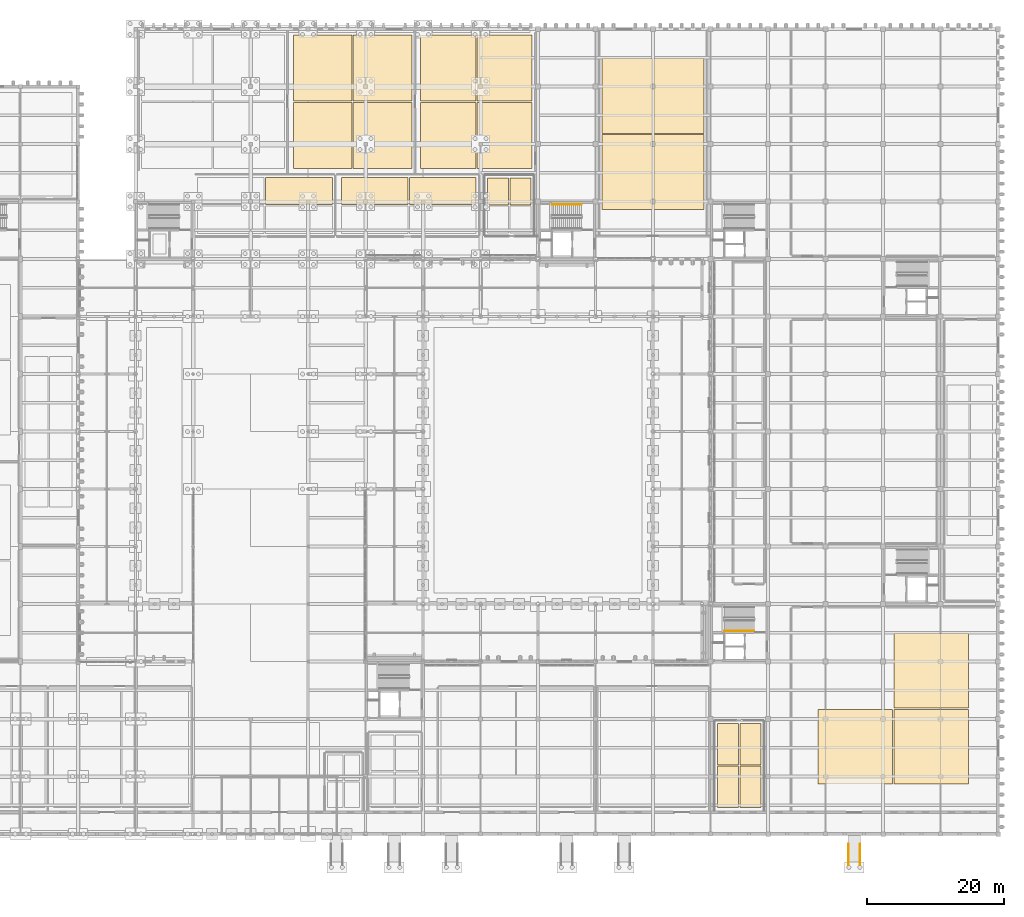
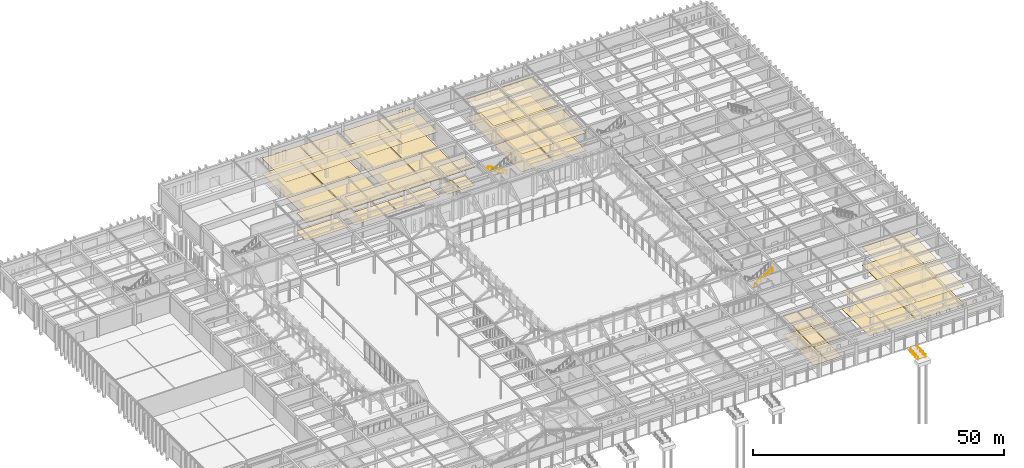
# One storey, part 139 of 143: 44 coverings, 4 railings.
"""IFC4 building model written with IfcOpenShell, lengths in metres."""

from ifc_helpers import new_model, si_unit, direction, frame, origin, origin_2d, place, context, subcontext, project, spatial, rectangle, circle, extrude, material, layer, layer_set, type_object, element, save


model = new_model("IFC4")

# Units and contexts
model_context = context("Model", 3, precision=1e-05, world=origin(), true_north=direction((0.0, 1.0)))
body_context = subcontext(model_context, "Body", "Model", "MODEL_VIEW")
ifc_project = project(units=[si_unit("LENGTHUNIT", "METRE"), si_unit("AREAUNIT", "SQUARE_METRE"), si_unit("VOLUMEUNIT", "CUBIC_METRE"), si_unit("PLANEANGLEUNIT", "RADIAN"), si_unit("MASSUNIT", "GRAM", prefix="KILO")], contexts=[model_context])

# Site, building, storey
site_placement = place(None, origin())
site = spatial("IfcSite", under=ifc_project, at=site_placement, CompositionType="ELEMENT")
building_placement = place(site_placement, origin())
building = spatial("IfcBuilding", under=site, at=building_placement, Name="Kveldsbrygga Polytechnic", CompositionType="ELEMENT")
storey_placement = place(building_placement, origin())
storey = spatial("IfcBuildingStorey", under=building, at=storey_placement, Name="L00", CompositionType="ELEMENT", Elevation=0.0)

# Coverings
ifc_material_1 = material(Name="Acoustic mineral baffle ceiling")
ifc_layer_1 = layer(ifc_material_1, 0.030029296875)
ifc_layer_set_1 = layer_set([ifc_layer_1], Name="Acoustic mineral baffle ceiling")
covering_type_1 = type_object("IfcCoveringType", Name="COV-CEIL-AC30", PredefinedType="CEILING", material=ifc_layer_set_1)
for number, where, z_axis, x_axis, name in (
    (1, (65.875, 93.949951171875, 4.43017578125), (0.0, 0.0, 1.0), (1.0, 0.0, 0.0), "Acoustic Ceiling SP-L00-SEM01-EN"),
    (2, (76.925048828125, 93.949951171875, 4.43017578125), (0.0, 0.0, 1.0), (1.0, 0.0, 0.0), "Acoustic Ceiling SP-L00-SEM02-WN"),
    (3, (86.875, 93.949951171875, 4.43017578125), (0.0, 0.0, 1.0), (1.0, 0.0, 0.0), "Acoustic Ceiling SP-L00-SEM02-EN"),
):
    element("IfcCovering", number, at=place(storey_placement, frame(where, z_axis=z_axis, x_axis=x_axis)), inside=storey, type_object=covering_type_1, Name=name, PredefinedType="CEILING", context=body_context, shape_type="SweptSolid", body=[
        extrude(rectangle(XDim=9.75, YDim=4.0, at=origin_2d()), origin(), (0.0, 0.0, 1.0), 0.030029296875),
    ])
for number, where, z_axis, x_axis, name in (
    (4, (147.125, 12.75, 4.330078125), (0.0, 0.0, 1.0), (1.0, 0.0, 0.0), "Acoustic Ceiling SP-L00-LAB1-WS"),
    (5, (158.22509765625, 12.75, 4.330078125), (0.0, 0.0, 1.0), (1.0, 0.0, 0.0), "Acoustic Ceiling SP-L00-LAB1-ES"),
    (6, (158.22509765625, 23.85009765625, 4.43017578125), (0.0, 0.0, 1.0), (1.0, 0.0, 0.0), "Acoustic Ceiling SP-L00-LAB1-EN"),
):
    element("IfcCovering", number, at=place(storey_placement, frame(where, z_axis=z_axis, x_axis=x_axis)), inside=storey, type_object=covering_type_1, Name=name, PredefinedType="CEILING", context=body_context, shape_type="SweptSolid", body=[
        extrude(rectangle(XDim=10.89990234375, YDim=10.89990234375, at=origin_2d()), origin(), (0.0, 0.0, 1.0), 0.030029296875),
    ])
for number, where, z_axis, x_axis, name in (
    (7, (113.824951171875, 96.72509765625, 4.330078125), (0.0, 0.0, 1.0), (1.0, 0.0, 0.0), "Acoustic Ceiling SP-L00-LAB5-WS"),
    (8, (113.824951171875, 107.824951171875, 4.43017578125), (0.0, 0.0, 1.0), (1.0, 0.0, 0.0), "Acoustic Ceiling SP-L00-LAB5-WN"),
    (9, (121.375, 96.72509765625, 4.330078125), (0.0, 0.0, 1.0), (1.0, 0.0, 0.0), "Acoustic Ceiling SP-L00-LAB5-ES"),
    (10, (121.375, 107.824951171875, 4.43017578125), (0.0, 0.0, 1.0), (1.0, 0.0, 0.0), "Acoustic Ceiling SP-L00-LAB5-EN"),
):
    element("IfcCovering", number, at=place(storey_placement, frame(where, z_axis=z_axis, x_axis=x_axis)), inside=storey, type_object=covering_type_1, Name=name, PredefinedType="CEILING", context=body_context, shape_type="SweptSolid", body=[
        extrude(rectangle(XDim=7.35009765625, YDim=10.89990234375, at=origin_2d()), origin(), (0.0, 0.0, 1.0), 0.030029296875),
    ])
ifc_material_2 = material(Name="Gypsum acoustic ceiling")
ifc_layer_2 = layer(ifc_material_2, 0.02001953125)
ifc_layer_set_2 = layer_set([ifc_layer_2], Name="Gypsum acoustic ceiling")
covering_type_2 = type_object("IfcCoveringType", Name="COV-CEIL-GY20", PredefinedType="CEILING", material=ifc_layer_set_2)
for number, where, z_axis, x_axis, name in (
    (11, (94.949951171875, 93.887451171875, 4.43994140625), (0.0, 0.0, 1.0), (1.0, 0.0, 0.0), "Acoustic Ceiling SP-L00-V2WC-WN"),
    (12, (98.25, 93.887451171875, 4.43994140625), (0.0, 0.0, 1.0), (1.0, 0.0, 0.0), "Acoustic Ceiling SP-L00-V2WC-EN"),
):
    element("IfcCovering", number, at=place(storey_placement, frame(where, z_axis=z_axis, x_axis=x_axis)), inside=storey, type_object=covering_type_2, Name=name, PredefinedType="CEILING", context=body_context, shape_type="SweptSolid", body=[
        extrude(rectangle(XDim=3.10009765625, YDim=3.925048828125, at=origin_2d()), origin(), (0.0, 0.0, 1.0), 0.02001953125),
    ])
for number, where, z_axis, x_axis, name in (
    (13, (128.550048828125, 6.91259765625, 4.43994140625), (0.0, 0.0, 1.0), (1.0, 0.0, 0.0), "Acoustic Ceiling SP-L00-WCMAIN-WS"),
    (14, (128.550048828125, 13.137451171875, 4.570068359375), (0.0, 0.0, 1.0), (1.0, 0.0, 0.0), "Acoustic Ceiling SP-L00-WCMAIN-WN"),
    (15, (131.85009765625, 6.91259765625, 4.43994140625), (0.0, 0.0, 1.0), (1.0, 0.0, 0.0), "Acoustic Ceiling SP-L00-WCMAIN-ES"),
    (16, (131.85009765625, 13.137451171875, 4.570068359375), (0.0, 0.0, 1.0), (1.0, 0.0, 0.0), "Acoustic Ceiling SP-L00-WCMAIN-EN"),
):
    element("IfcCovering", number, at=place(storey_placement, frame(where, z_axis=z_axis, x_axis=x_axis)), inside=storey, type_object=covering_type_2, Name=name, PredefinedType="CEILING", context=body_context, shape_type="SweptSolid", body=[
        extrude(rectangle(XDim=3.10009765625, YDim=6.02490234375, at=origin_2d()), origin(), (0.0, 0.0, 1.0), 0.02001953125),
    ])
ifc_material_3 = material(Name="Acoustic oak timber slat ceiling", Category="wood")
ifc_layer_3 = layer(ifc_material_3, 0.0400390625)
ifc_layer_set_3 = layer_set([ifc_layer_3], Name="Acoustic oak timber slat ceiling")
covering_type_3 = type_object("IfcCoveringType", Name="COV-CEIL-WD40", PredefinedType="CEILING", material=ifc_layer_set_3)
for number, where, z_axis, x_axis, name in (
    (17, (69.324951171875, 111.925048828125, 3.699951171875), (0.0, 0.0, 1.0), (1.0, 0.0, 0.0), "Acoustic Ceiling SP-L00-LT2-WN"),
    (18, (78.074951171875, 111.925048828125, 3.699951171875), (0.0, 0.0, 1.0), (1.0, 0.0, 0.0), "Acoustic Ceiling SP-L00-LT2-EN"),
):
    element("IfcCovering", number, at=place(storey_placement, frame(where, z_axis=z_axis, x_axis=x_axis)), inside=storey, type_object=covering_type_3, Name=name, PredefinedType="CEILING", context=body_context, shape_type="SweptSolid", body=[
        extrude(rectangle(XDim=8.550048828125, YDim=9.64990234375, at=origin_2d()), origin(), (0.0, 0.0, 1.0), 0.0400390625),
    ])
for number, where, z_axis, x_axis, name in (
    (19, (87.675048828125, 111.925048828125, 3.699951171875), (0.0, 0.0, 1.0), (1.0, 0.0, 0.0), "Acoustic Ceiling SP-L00-LT3-WN"),
    (20, (95.925048828125, 111.925048828125, 3.699951171875), (0.0, 0.0, 1.0), (1.0, 0.0, 0.0), "Acoustic Ceiling SP-L00-LT3-EN"),
):
    element("IfcCovering", number, at=place(storey_placement, frame(where, z_axis=z_axis, x_axis=x_axis)), inside=storey, type_object=covering_type_3, Name=name, PredefinedType="CEILING", context=body_context, shape_type="SweptSolid", body=[
        extrude(rectangle(XDim=8.050048828125, YDim=9.64990234375, at=origin_2d()), origin(), (0.0, 0.0, 1.0), 0.0400390625),
    ])
ifc_material_4 = material(Name="Heavy-duty quartz-filled epoxy resin flooring")
ifc_layer_4 = layer(ifc_material_4, 0.014892578125)
ifc_layer_set_4 = layer_set([ifc_layer_4], Name="Heavy-duty quartz-filled epoxy resin flooring")
covering_type_4 = type_object("IfcCoveringType", Name="COV-FLR-EPX15", PredefinedType="FLOORING", material=ifc_layer_set_4)
for number, where, z_axis, x_axis, name in (
    (21, (147.125, 12.75, 0.0), (0.0, 0.0, 1.0), (1.0, 0.0, 0.0), "Room Flooring SP-L00-LAB1-WS"),
    (22, (158.22509765625, 12.75, 0.0), (0.0, 0.0, 1.0), (1.0, 0.0, 0.0), "Room Flooring SP-L00-LAB1-ES"),
    (23, (158.22509765625, 23.85009765625, 0.0), (0.0, 0.0, 1.0), (1.0, 0.0, 0.0), "Room Flooring SP-L00-LAB1-EN"),
):
    element("IfcCovering", number, at=place(storey_placement, frame(where, z_axis=z_axis, x_axis=x_axis)), inside=storey, type_object=covering_type_4, Name=name, PredefinedType="FLOORING", context=body_context, shape_type="SweptSolid", body=[
        extrude(rectangle(XDim=10.89990234375, YDim=10.89990234375, at=origin_2d()), origin(), (0.0, 0.0, 1.0), 0.014892578125),
    ])
for number, where, z_axis, x_axis, name in (
    (24, (113.824951171875, 96.72509765625, 0.0), (0.0, 0.0, 1.0), (1.0, 0.0, 0.0), "Room Flooring SP-L00-LAB5-WS"),
    (25, (113.824951171875, 107.824951171875, 0.0), (0.0, 0.0, 1.0), (1.0, 0.0, 0.0), "Room Flooring SP-L00-LAB5-WN"),
    (26, (121.375, 96.72509765625, 0.0), (0.0, 0.0, 1.0), (1.0, 0.0, 0.0), "Room Flooring SP-L00-LAB5-ES"),
    (27, (121.375, 107.824951171875, 0.0), (0.0, 0.0, 1.0), (1.0, 0.0, 0.0), "Room Flooring SP-L00-LAB5-EN"),
):
    element("IfcCovering", number, at=place(storey_placement, frame(where, z_axis=z_axis, x_axis=x_axis)), inside=storey, type_object=covering_type_4, Name=name, PredefinedType="FLOORING", context=body_context, shape_type="SweptSolid", body=[
        extrude(rectangle(XDim=7.35009765625, YDim=10.89990234375, at=origin_2d()), origin(), (0.0, 0.0, 1.0), 0.014892578125),
    ])
ifc_material_5 = material(Name="Iddefjord granite honed paving", Category="masonry")
ifc_layer_5 = layer(ifc_material_5, 0.02490234375)
ifc_layer_set_5 = layer_set([ifc_layer_5], Name="Iddefjord granite honed paving")
covering_type_5 = type_object("IfcCoveringType", Name="COV-FLR-GRN25", PredefinedType="FLOORING", material=ifc_layer_set_5)
for number, where, z_axis, x_axis, name in (
    (28, (94.949951171875, 93.887451171875, 0.0), (0.0, 0.0, 1.0), (1.0, 0.0, 0.0), "Room Flooring SP-L00-V2WC-WN"),
    (29, (98.25, 93.887451171875, 0.0), (0.0, 0.0, 1.0), (1.0, 0.0, 0.0), "Room Flooring SP-L00-V2WC-EN"),
):
    element("IfcCovering", number, at=place(storey_placement, frame(where, z_axis=z_axis, x_axis=x_axis)), inside=storey, type_object=covering_type_5, Name=name, PredefinedType="FLOORING", context=body_context, shape_type="SweptSolid", body=[
        extrude(rectangle(XDim=3.10009765625, YDim=3.925048828125, at=origin_2d()), origin(), (0.0, 0.0, 1.0), 0.02490234375),
    ])
for number, where, z_axis, x_axis, name in (
    (30, (128.550048828125, 6.91259765625, 0.0), (0.0, 0.0, 1.0), (1.0, 0.0, 0.0), "Room Flooring SP-L00-WCMAIN-WS"),
    (31, (128.550048828125, 13.137451171875, 0.0), (0.0, 0.0, 1.0), (1.0, 0.0, 0.0), "Room Flooring SP-L00-WCMAIN-WN"),
    (32, (131.85009765625, 6.91259765625, 0.0), (0.0, 0.0, 1.0), (1.0, 0.0, 0.0), "Room Flooring SP-L00-WCMAIN-ES"),
    (33, (131.85009765625, 13.137451171875, 0.0), (0.0, 0.0, 1.0), (1.0, 0.0, 0.0), "Room Flooring SP-L00-WCMAIN-EN"),
):
    element("IfcCovering", number, at=place(storey_placement, frame(where, z_axis=z_axis, x_axis=x_axis)), inside=storey, type_object=covering_type_5, Name=name, PredefinedType="FLOORING", context=body_context, shape_type="SweptSolid", body=[
        extrude(rectangle(XDim=3.10009765625, YDim=6.02490234375, at=origin_2d()), origin(), (0.0, 0.0, 1.0), 0.02490234375),
    ])
ifc_material_6 = material(Name="Acoustic oak timber flooring", Category="wood")
ifc_layer_6 = layer(ifc_material_6, 0.02197265625)
ifc_layer_set_6 = layer_set([ifc_layer_6], Name="Acoustic oak timber flooring")
covering_type_6 = type_object("IfcCoveringType", Name="COV-FLR-OAK22", PredefinedType="FLOORING", material=ifc_layer_set_6)
for number, where, z_axis, x_axis, name in (
    (34, (65.875, 93.949951171875, 0.0), (0.0, 0.0, 1.0), (1.0, 0.0, 0.0), "Room Flooring SP-L00-SEM01-EN"),
    (35, (76.925048828125, 93.949951171875, 0.0), (0.0, 0.0, 1.0), (1.0, 0.0, 0.0), "Room Flooring SP-L00-SEM02-WN"),
    (36, (86.875, 93.949951171875, 0.0), (0.0, 0.0, 1.0), (1.0, 0.0, 0.0), "Room Flooring SP-L00-SEM02-EN"),
):
    element("IfcCovering", number, at=place(storey_placement, frame(where, z_axis=z_axis, x_axis=x_axis)), inside=storey, type_object=covering_type_6, Name=name, PredefinedType="FLOORING", context=body_context, shape_type="SweptSolid", body=[
        extrude(rectangle(XDim=9.75, YDim=4.0, at=origin_2d()), origin(), (0.0, 0.0, 1.0), 0.02197265625),
    ])
for number, where, z_axis, x_axis, name in (
    (37, (69.324951171875, 102.074951171875, 0.0), (0.0, 0.0, 1.0), (1.0, 0.0, 0.0), "Room Flooring SP-L00-LT2-WS"),
    (38, (69.324951171875, 111.925048828125, 0.0), (0.0, 0.0, 1.0), (1.0, 0.0, 0.0), "Room Flooring SP-L00-LT2-WN"),
    (39, (78.074951171875, 102.074951171875, 0.0), (0.0, 0.0, 1.0), (1.0, 0.0, 0.0), "Room Flooring SP-L00-LT2-ES"),
    (40, (78.074951171875, 111.925048828125, 0.0), (0.0, 0.0, 1.0), (1.0, 0.0, 0.0), "Room Flooring SP-L00-LT2-EN"),
):
    element("IfcCovering", number, at=place(storey_placement, frame(where, z_axis=z_axis, x_axis=x_axis)), inside=storey, type_object=covering_type_6, Name=name, PredefinedType="FLOORING", context=body_context, shape_type="SweptSolid", body=[
        extrude(rectangle(XDim=8.550048828125, YDim=9.64990234375, at=origin_2d()), origin(), (0.0, 0.0, 1.0), 0.02197265625),
    ])
for number, where, z_axis, x_axis, name in (
    (41, (87.675048828125, 102.074951171875, 0.0), (0.0, 0.0, 1.0), (1.0, 0.0, 0.0), "Room Flooring SP-L00-LT3-WS"),
    (42, (87.675048828125, 111.925048828125, 0.0), (0.0, 0.0, 1.0), (1.0, 0.0, 0.0), "Room Flooring SP-L00-LT3-WN"),
    (43, (95.925048828125, 102.074951171875, 0.0), (0.0, 0.0, 1.0), (1.0, 0.0, 0.0), "Room Flooring SP-L00-LT3-ES"),
    (44, (95.925048828125, 111.925048828125, 0.0), (0.0, 0.0, 1.0), (1.0, 0.0, 0.0), "Room Flooring SP-L00-LT3-EN"),
):
    element("IfcCovering", number, at=place(storey_placement, frame(where, z_axis=z_axis, x_axis=x_axis)), inside=storey, type_object=covering_type_6, Name=name, PredefinedType="FLOORING", context=body_context, shape_type="SweptSolid", body=[
        extrude(rectangle(XDim=8.050048828125, YDim=9.64990234375, at=origin_2d()), origin(), (0.0, 0.0, 1.0), 0.02197265625),
    ])

# Railings
ifc_material_7 = material(Name="Steel S355", Category="steel")
railing_type_1 = type_object("IfcRailingType", Name="GRD-EXT-120", PredefinedType="GUARDRAIL", material=ifc_material_7)
for number, where, name in (
    (45, (146.14990234375, -4.5, -0.300048828125), "Ramp Handrail RMP-06-L"),
    (46, (147.85009765625, -4.5, -0.300048828125), "Ramp Handrail RMP-06-R"),
):
    element("IfcRailing", number, at=place(storey_placement, frame(where)), inside=storey, type_object=railing_type_1, Name=name, PredefinedType="GUARDRAIL", context=body_context, shape_type="SweptSolid", body=[
        extrude(circle(Radius=0.02392578125, at=origin_2d()), frame((0.0, 0.0, 0.8759765625), z_axis=(0.0, 0.997789749648, 0.066450097791), x_axis=(-1.0, 0.0, 0.0)), (0.0, 0.0, 1.0), 3.056884765625),
        extrude(circle(Radius=0.02099609375, at=origin_2d()), origin(), (0.0, 0.0, 1.0), 0.847900390625),
        extrude(circle(Radius=0.02099609375, at=origin_2d()), frame((0.0, 1.0166015625, 0.067626953125)), (0.0, 0.0, 1.0), 0.847900390625),
        extrude(circle(Radius=0.02099609375, at=origin_2d()), frame((0.0, 2.033447265625, 0.135498046875)), (0.0, 0.0, 1.0), 0.847900390625),
        extrude(circle(Radius=0.02099609375, at=origin_2d()), frame((0.0, 3.050048828125, 0.203125)), (0.0, 0.0, 1.0), 0.847900390625),
    ])
railing_type_2 = type_object("IfcRailingType", Name="RL-STAIR-HND", PredefinedType="HANDRAIL", material=ifc_material_7)
railing_1_placement = place(storey_placement, frame((128.0, 29.64990234375, 2.889892578125)))
element("IfcRailing", 47, at=railing_1_placement, inside=storey, type_object=railing_type_2, Name="L00 ST-1 stair handrail 2", PredefinedType="HANDRAIL", context=body_context, shape_type="SweptSolid", body=[
    extrude(circle(Radius=0.02392578125, at=origin_2d()), frame((0.0, 0.0, 0.8759765625), z_axis=(0.862698698498, 0.0, 0.505718257145), x_axis=(0.0, 1.0, 0.0)), (0.0, 0.0, 1.0), 5.04248046875),
    extrude(circle(Radius=0.02099609375, at=origin_2d()), origin(), (0.0, 0.0, 1.0), 0.847900390625),
    extrude(circle(Radius=0.02099609375, at=origin_2d()), frame((0.8701171875, 0.0, 0.510009765625)), (0.0, 0.0, 1.0), 0.847900390625),
    extrude(circle(Radius=0.02099609375, at=origin_2d()), frame((1.739990234375, 0.0, 1.02001953125)), (0.0, 0.0, 1.0), 0.847900390625),
    extrude(circle(Radius=0.02099609375, at=origin_2d()), frame((2.610107421875, 0.0, 1.530029296875)), (0.0, 0.0, 1.0), 0.847900390625),
    extrude(circle(Radius=0.02099609375, at=origin_2d()), frame((3.47998046875, 0.0, 2.0400390625)), (0.0, 0.0, 1.0), 0.847900390625),
    extrude(circle(Radius=0.02099609375, at=origin_2d()), frame((4.35009765625, 0.0, 2.550048828125)), (0.0, 0.0, 1.0), 0.847900390625),
])
railing_2_placement = place(storey_placement, frame((107.14990234375, 91.949951171875, 0.169921875)))
element("IfcRailing", 48, at=railing_2_placement, inside=storey, type_object=railing_type_2, Name="L00 ST-5 stair handrail 1", PredefinedType="HANDRAIL", context=body_context, shape_type="SweptSolid", body=[
    extrude(circle(Radius=0.02392578125, at=origin_2d()), frame((0.0, 0.0, 0.8759765625), z_axis=(-0.862686314962, 0.0, 0.505739381477), x_axis=(0.0, -1.0, 0.0)), (0.0, 0.0, 1.0), 5.042236328125),
    extrude(circle(Radius=0.02099609375, at=origin_2d()), origin(), (0.0, 0.0, 1.0), 0.847900390625),
    extrude(circle(Radius=0.02099609375, at=origin_2d()), frame((-0.869873046875, 0.0, 0.510009765625)), (0.0, 0.0, 1.0), 0.847900390625),
    extrude(circle(Radius=0.02099609375, at=origin_2d()), frame((-1.739990234375, 0.0, 1.02001953125)), (0.0, 0.0, 1.0), 0.847900390625),
    extrude(circle(Radius=0.02099609375, at=origin_2d()), frame((-2.60986328125, 0.0, 1.530029296875)), (0.0, 0.0, 1.0), 0.847900390625),
    extrude(circle(Radius=0.02099609375, at=origin_2d()), frame((-3.47998046875, 0.0, 2.0400390625)), (0.0, 0.0, 1.0), 0.847900390625),
    extrude(circle(Radius=0.02099609375, at=origin_2d()), frame((-4.349853515625, 0.0, 2.550048828125)), (0.0, 0.0, 1.0), 0.847900390625),
])

save(model, "model.ifc")
